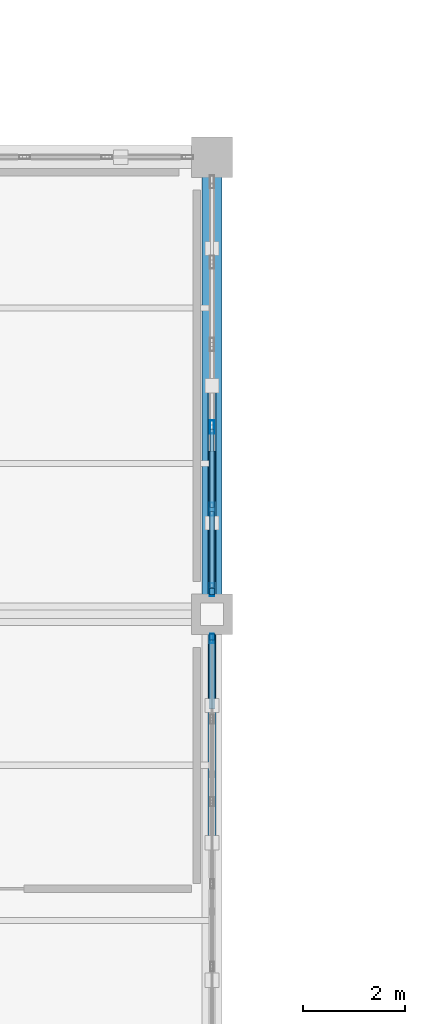
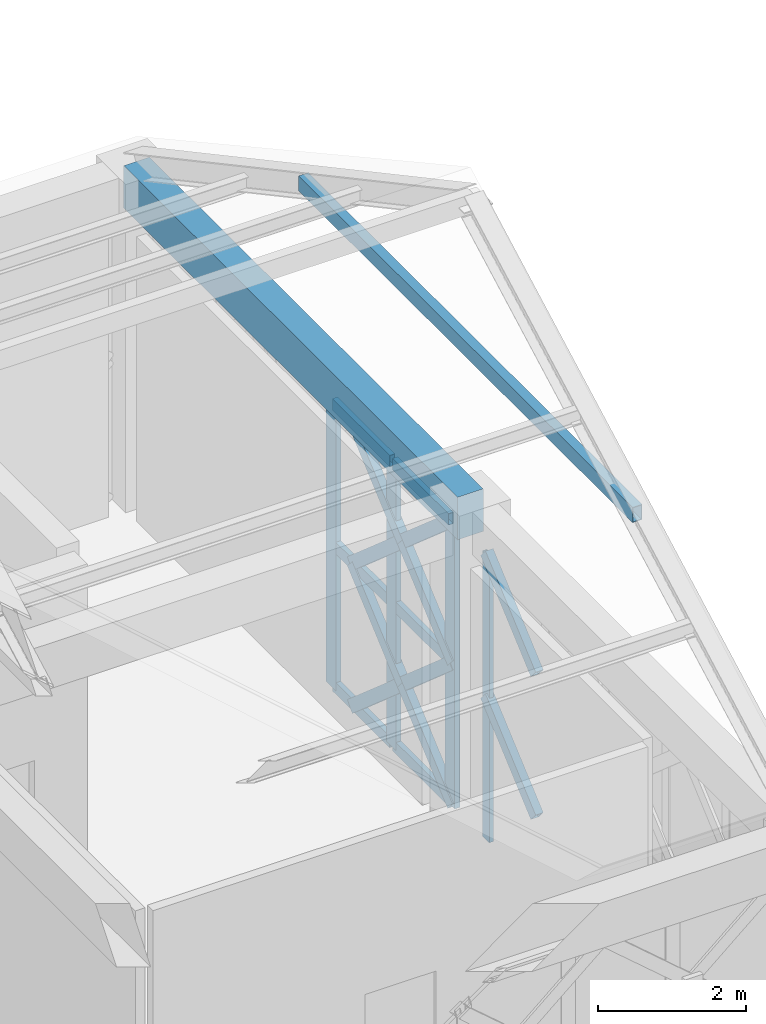
# One storey, part 56 of 86: 19 members, 1 beam, 2 elements without a shape of their own.
"""IFC4 building model written with IfcOpenShell, lengths in metres."""

import ifcopenshell
import ifcopenshell.guid

model = None  # the IFC model being written
_history = None  # IfcOwnerHistory: only IFC2X3 demands one
_inside = {}  # id of a spatial element -> (the spatial element, [elements in it])
_under = {}  # id of a project, library or spatial element -> (it, [spatial elements below it])
_declared = {}  # id of a project -> (the project, [libraries it declares])
_typed = {}  # id of a type object -> (the type object, [elements of that type])
_made_of = {}  # id of a material, layer set ... -> (it, [elements and type objects made of it])


def new_model(schema):
    """Start an empty IFC model of exactly this schema.

    Asked for "IFC4X3", IfcOpenShell would pick the latest addendum, in which some entities
    have other attributes; the version numbers below select the first issue.
    IFC2X3 requires an IfcOwnerHistory on every rooted entity: one is made here for all.
    """
    global model, _history
    if schema == "IFC4X3":
        model = ifcopenshell.file(schema_version=(4, 3, 0, 0))
    else:
        model = ifcopenshell.file(schema=schema)
    _inside.clear()
    _under.clear()
    _declared.clear()
    _typed.clear()
    _made_of.clear()
    _history = None
    if model.schema == "IFC2X3":
        org = make("IfcOrganization", Name="unknown")
        user = make(
            "IfcPersonAndOrganization",
            ThePerson=make("IfcPerson", FamilyName="unknown"),
            TheOrganization=org,
        )
        app = make(
            "IfcApplication",
            ApplicationDeveloper=org,
            Version="unknown",
            ApplicationFullName="unknown",
            ApplicationIdentifier="unknown",
        )
        _history = make(
            "IfcOwnerHistory",
            OwningUser=user,
            OwningApplication=app,
            ChangeAction="ADDED",
            CreationDate=0,
        )
    return model


def make(cls, **values):
    """One entity of the class cls with the attributes given. An attribute that is None is left unset."""
    return model.create_entity(
        cls, **{name: value for name, value in values.items() if value is not None}
    )


def rooted(cls, **values):
    """An entity with a GlobalId (a new one), such as an element, a storey or a relation."""
    return make(cls, GlobalId=ifcopenshell.guid.new(), OwnerHistory=_history, **values)


def si_unit(unit_type, name, prefix=None):
    """IfcSIUnit, for example si_unit("LENGTHUNIT", "METRE", prefix="MILLI")."""
    return make("IfcSIUnit", UnitType=unit_type, Prefix=prefix, Name=name)


def assignment(units):
    """IfcUnitAssignment: the units of a project."""
    return None if units is None else make("IfcUnitAssignment", Units=units)


def point(xyz):
    """IfcCartesianPoint."""
    return None if xyz is None else make("IfcCartesianPoint", Coordinates=xyz)


def direction(xyz):
    """IfcDirection."""
    return None if xyz is None else make("IfcDirection", DirectionRatios=xyz)


def frame(location, z_axis=None, x_axis=None):
    """IfcAxis2Placement3D, a coordinate frame: its origin and axes. An axis left out is left unset."""
    return make(
        "IfcAxis2Placement3D",
        Location=point(location),
        Axis=direction(z_axis),
        RefDirection=direction(x_axis),
    )


def frame_2d(location, x_axis=None):
    """IfcAxis2Placement2D, a coordinate frame in the plane: its origin and x axis."""
    return make(
        "IfcAxis2Placement2D", Location=point(location), RefDirection=direction(x_axis)
    )


def origin():
    """The frame at (0, 0, 0) with its axes left unset."""
    return frame((0.0, 0.0, 0.0))


def origin_2d():
    """The frame at (0, 0) in the plane with its x axis left unset."""
    return frame_2d((0.0, 0.0))


def place(relative_to, where):
    """IfcLocalPlacement: puts the frame where relative to a parent placement (None: the world)."""
    return make(
        "IfcLocalPlacement", PlacementRelTo=relative_to, RelativePlacement=where
    )


def context(
    kind, dimensions, precision=None, world=None, true_north=None, identifier=None
):
    """IfcGeometricRepresentationContext, for example the 3D "Model" context."""
    return make(
        "IfcGeometricRepresentationContext",
        ContextIdentifier=identifier,
        ContextType=kind,
        CoordinateSpaceDimension=dimensions,
        Precision=precision,
        WorldCoordinateSystem=world,
        TrueNorth=true_north,
    )


def subcontext(parent, identifier, kind, view, scale=None):
    """IfcGeometricRepresentationSubContext, for example "Body" below "Model"."""
    return make(
        "IfcGeometricRepresentationSubContext",
        ContextIdentifier=identifier,
        ContextType=kind,
        ParentContext=parent,
        TargetScale=scale,
        TargetView=view,
    )


def project(units=None, contexts=None):
    """IfcProject with its units and contexts."""
    return rooted(
        "IfcProject",
        Name="project",
        RepresentationContexts=contexts,
        UnitsInContext=assignment(units),
    )


def spatial(cls, under=None, at=None, **own):
    """A site, building, storey or space (cls), placed at a placement, below another one or the project."""
    s = rooted(cls, ObjectPlacement=at, **own)
    if under is not None:
        _under.setdefault(under.id(), (under, []))[1].append(s)
    return s


def profile(cls, at=None, kind="AREA", **sizes):
    """A parametric profile (cls). Its sizes go by their IFC names, for example OverallWidth=200.0."""
    return make(cls, ProfileType=kind, Position=at, **sizes)


def rectangle(**sizes):
    """IfcRectangleProfileDef."""
    return profile("IfcRectangleProfileDef", **sizes)


def hollow_rectangle(**sizes):
    """IfcRectangleHollowProfileDef."""
    return profile("IfcRectangleHollowProfileDef", **sizes)


def extrude(swept, where, along, depth):
    """IfcExtrudedAreaSolid: the profile swept, set in the frame where, extruded along a direction by depth."""
    return make(
        "IfcExtrudedAreaSolid",
        SweptArea=swept,
        Position=where,
        ExtrudedDirection=direction(along),
        Depth=depth,
    )


def shape(context_of_items, identifier, shape_type, items):
    """IfcShapeRepresentation: the items that make up one representation, for example the "Body"."""
    return make(
        "IfcShapeRepresentation",
        ContextOfItems=context_of_items,
        RepresentationIdentifier=identifier,
        RepresentationType=shape_type,
        Items=items,
    )


def material(Name=None, Category=None):
    """IfcMaterial."""
    return make("IfcMaterial", Name=Name, Category=Category)


def material_profile(
    of_material, cross_section, Name=None, Category=None, Priority=None
):
    """IfcMaterialProfile: a cross section and its material."""
    return make(
        "IfcMaterialProfile",
        Name=Name,
        Material=of_material,
        Profile=cross_section,
        Priority=Priority,
        Category=Category,
    )


def profile_set(profiles, Name=None, composite=None):
    """IfcMaterialProfileSet."""
    return make(
        "IfcMaterialProfileSet",
        Name=Name,
        MaterialProfiles=profiles,
        CompositeProfile=composite,
    )


def made_of(thing, what):
    """Note that an element or type object is made of a material, layer set ...; save() writes the relation."""
    if what is not None:
        _made_of.setdefault(what.id(), (what, []))[1].append(thing)
    return thing


def type_object(cls, material=None, **own):
    """A type object (cls), such as IfcWallType, which elements share."""
    return made_of(rooted(cls, **own), material)


def element(
    cls,
    number,
    at=None,
    inside=None,
    cuts=None,
    type_object=None,
    material=None,
    context=None,
    identifier="Body",
    shape_type=None,
    held_by="IfcProductDefinitionShape",
    body=None,
    shapes=None,
    **own,
):
    """One element of the class cls, such as IfcWall. Its Tag is "e" and its number.

    at: its placement. inside: the storey or other place that contains it. cuts: it is an
    opening in that element (IfcRelVoidsElement). A single representation is given by context,
    identifier, shape_type and body (its items); several are given by shapes. held_by: the class
    of the entity that holds the representations. save() writes the other relations.
    """
    e = rooted(cls, Tag="e%d" % number, ObjectPlacement=at, **own)
    if body is not None:
        shapes = [shape(context, identifier, shape_type, body)]
    if shapes is not None:
        e.Representation = make(held_by, Representations=shapes)
    if inside is not None:
        _inside.setdefault(inside.id(), (inside, []))[1].append(e)
    if cuts is not None:
        rooted(
            "IfcRelVoidsElement", RelatingBuildingElement=cuts, RelatedOpeningElement=e
        )
    if type_object is not None:
        _typed.setdefault(type_object.id(), (type_object, []))[1].append(e)
    return made_of(e, material)


def aggregate(whole, parts):
    """IfcRelAggregates: a whole, such as a stair, and the parts it consists of."""
    return rooted("IfcRelAggregates", RelatingObject=whole, RelatedObjects=parts)


def save(model, path):
    """Write the relations noted so far, then the file.

    IfcRelAggregates (storeys below a building ...), IfcRelContainedInSpatialStructure (elements
    in a storey), IfcRelDefinesByType, IfcRelAssociatesMaterial and IfcRelDeclares: one each for
    every whole, place, type object, material and project.
    """
    for whole, parts in _under.values():
        aggregate(whole, parts)
    for where, things in _inside.values():
        rooted(
            "IfcRelContainedInSpatialStructure",
            RelatedElements=things,
            RelatingStructure=where,
        )
    for kind, things in _typed.values():
        rooted("IfcRelDefinesByType", RelatedObjects=things, RelatingType=kind)
    for what, things in _made_of.values():
        rooted("IfcRelAssociatesMaterial", RelatedObjects=things, RelatingMaterial=what)
    for by, libraries in _declared.values():
        rooted("IfcRelDeclares", RelatingContext=by, RelatedDefinitions=libraries)
    model.write(path)


model = new_model("IFC4")

# Units and contexts
model_context = context("Model", 3, precision=1e-05, world=origin(), true_north=direction((0.0, 1.0)))
body_context = subcontext(model_context, "Body", "Model", "MODEL_VIEW")
ifc_project = project(units=[si_unit("LENGTHUNIT", "METRE"), si_unit("AREAUNIT", "SQUARE_METRE"), si_unit("VOLUMEUNIT", "CUBIC_METRE"), si_unit("PLANEANGLEUNIT", "RADIAN"), si_unit("MASSUNIT", "GRAM", prefix="KILO")], contexts=[model_context])

# Site, building, storey
site_placement = place(None, origin())
site = spatial("IfcSite", under=ifc_project, at=site_placement, CompositionType="ELEMENT")
building_placement = place(site_placement, origin())
building = spatial("IfcBuilding", under=site, at=building_placement, Name="Haizhuo Lancet Aquarium", CompositionType="ELEMENT")
storey_placement = place(building_placement, frame((0.0, 0.0, 16.199951171875)))
storey = spatial("IfcBuildingStorey", under=building, at=storey_placement, Name="L03", CompositionType="ELEMENT", Elevation=16.199951171875)

# Beam
ifc_material_1 = material(Name="Concrete C40/50", Category="concrete")
ifc_material_profile_1 = material_profile(ifc_material_1, rectangle(XDim=0.39990234375, YDim=0.699951171875, at=origin_2d()), Name="RC-BM 400x700")
ifc_profile_set_1 = profile_set([ifc_material_profile_1], Name="Concrete C40/50")
beam_type = type_object("IfcBeamType", Name="BM-RC-400x700", PredefinedType="BEAM", material=ifc_profile_set_1)
beam_placement = place(storey_placement, frame((72.0, -18.0, 5.050048828125), z_axis=(0.0, 1.0, 0.0), x_axis=(-1.0, 0.0, 0.0)))
element("IfcBeam", 1, at=beam_placement, inside=storey, type_object=beam_type, Name="L03 V3 primary girder BM-L03-V3-032", PredefinedType="BEAM", context=body_context, shape_type="SweptSolid", body=[
    extrude(rectangle(XDim=0.39990234375, YDim=0.699951171875, at=origin_2d()), origin(), (0.0, 0.0, 1.0), 9.0),
])

# Curtain wall, member
ifc_material_2 = material(Name="Aluminium 6063-T6", Category="aluminium")
curtain_wall_type = type_object("IfcCurtainWallType", Name="CWO-8110x4700", PredefinedType="NOTDEFINED", material=ifc_material_2)
curtain_wall_1_placement = place(storey_placement, origin())
curtain_wall_1 = element("IfcCurtainWall", 2, at=curtain_wall_1_placement, inside=storey, type_object=curtain_wall_type, Name="L03 curtain wall CW-V3-L03-073", PredefinedType="NOTDEFINED")
ifc_material_profile_2 = material_profile(ifc_material_2, hollow_rectangle(XDim=0.06494140625, YDim=0.179931640625, WallThickness=0.00390625, at=origin_2d()), Name="ALU-M 65x180x4")
ifc_profile_set_2 = profile_set([ifc_material_profile_2], Name="Aluminium 6063-T6")
member_type_1 = type_object("IfcMemberType", Name="CW-MUL-1", PredefinedType="MULLION", material=ifc_profile_set_2)
member_1_placement = place(storey_placement, frame((72.0, -18.47705078125, 0.0), z_axis=(0.0, 0.0, 1.0), x_axis=(1.0, 0.0, 0.0)))
member_1 = element("IfcMember", 3, at=member_1_placement, type_object=member_type_1, Name="CWO-81x47 mullion 1", PredefinedType="MULLION", context=body_context, shape_type="SweptSolid", body=[
    extrude(hollow_rectangle(XDim=0.06494140625, YDim=0.179931640625, WallThickness=0.00390625, at=origin_2d()), origin(), (0.0, 0.0, 1.0), 4.699951171875),
])
aggregate(curtain_wall_1, [member_1])

# Curtain wall, members
curtain_wall_2_placement = place(storey_placement, origin())
curtain_wall_2 = element("IfcCurtainWall", 4, at=curtain_wall_2_placement, inside=storey, type_object=curtain_wall_type, Name="L03 curtain wall CW-V3-L03-072", PredefinedType="NOTDEFINED")
ifc_material_profile_3 = material_profile(ifc_material_2, hollow_rectangle(XDim=0.080078125, YDim=0.260009765625, WallThickness=0.0048828125, at=origin_2d()), Name="ALU-M 80x260x5")
ifc_profile_set_3 = profile_set([ifc_material_profile_3], Name="Aluminium 6063-T6")
member_type_2 = type_object("IfcMemberType", Name="CW-MUL-3", PredefinedType="MULLION", material=ifc_profile_set_3)
member_2_placement = place(storey_placement, frame((72.0, -14.31103515625, 0.0), z_axis=(0.0, 0.0, 1.0), x_axis=(1.0, 0.0, 0.0)))
member_2 = element("IfcMember", 5, at=member_2_placement, type_object=member_type_2, Name="CWO-81x47 mullion 4", PredefinedType="MULLION", context=body_context, shape_type="SweptSolid", body=[
    extrude(hollow_rectangle(XDim=0.080078125, YDim=0.260009765625, WallThickness=0.0048828125, at=origin_2d()), origin(), (0.0, 0.0, 1.0), 4.699951171875),
])
member_3_placement = place(storey_placement, frame((72.0, -15.93310546875, 0.0), z_axis=(0.0, 0.0, 1.0), x_axis=(1.0, 0.0, 0.0)))
member_3 = element("IfcMember", 6, at=member_3_placement, type_object=member_type_2, Name="CWO-81x47 mullion 5", PredefinedType="MULLION", context=body_context, shape_type="SweptSolid", body=[
    extrude(hollow_rectangle(XDim=0.080078125, YDim=0.260009765625, WallThickness=0.0048828125, at=origin_2d()), origin(), (0.0, 0.0, 1.0), 4.699951171875),
])
member_4_placement = place(storey_placement, frame((72.0, -17.514892578125, 0.0), z_axis=(0.0, 0.0, 1.0), x_axis=(1.0, 0.0, 0.0)))
member_4 = element("IfcMember", 7, at=member_4_placement, type_object=member_type_2, Name="CWO-81x47 mullion 6", PredefinedType="MULLION", context=body_context, shape_type="SweptSolid", body=[
    extrude(hollow_rectangle(XDim=0.080078125, YDim=0.260009765625, WallThickness=0.0048828125, at=origin_2d()), origin(), (0.0, 0.0, 1.0), 4.699951171875),
])
ifc_material_profile_4 = material_profile(ifc_material_2, hollow_rectangle(XDim=0.080078125, YDim=0.18994140625, WallThickness=0.0048828125, at=origin_2d()), Name="ALU-T 80x190x5")
ifc_profile_set_4 = profile_set([ifc_material_profile_4], Name="Aluminium 6063-T6")
member_type_3 = type_object("IfcMemberType", Name="CW-TRN-3", PredefinedType="NOTDEFINED", material=ifc_profile_set_4)
member_5_placement = place(storey_placement, frame((72.0, -14.35107421875, 0.0400390625), z_axis=(0.0, -1.0, 0.0), x_axis=(1.0, 0.0, 0.0)))
member_5 = element("IfcMember", 8, at=member_5_placement, type_object=member_type_3, Name="CWO-81x47 transom 4.1", ObjectType="TRANSOM", PredefinedType="USERDEFINED", context=body_context, shape_type="SweptSolid", body=[
    extrude(hollow_rectangle(XDim=0.080078125, YDim=0.18994140625, WallThickness=0.0048828125, at=origin_2d()), origin(), (0.0, 0.0, 1.0), 1.5419921875),
])
member_6_placement = place(storey_placement, frame((72.0, -14.35107421875, 2.35009765625), z_axis=(0.0, -1.0, 0.0), x_axis=(1.0, 0.0, 0.0)))
member_6 = element("IfcMember", 9, at=member_6_placement, type_object=member_type_3, Name="CWO-81x47 transom 4.2", ObjectType="TRANSOM", PredefinedType="USERDEFINED", context=body_context, shape_type="SweptSolid", body=[
    extrude(hollow_rectangle(XDim=0.080078125, YDim=0.18994140625, WallThickness=0.0048828125, at=origin_2d()), origin(), (0.0, 0.0, 1.0), 1.5419921875),
])
member_7_placement = place(storey_placement, frame((72.0, -14.35107421875, 4.66015625), z_axis=(0.0, -1.0, 0.0), x_axis=(1.0, 0.0, 0.0)))
member_7 = element("IfcMember", 10, at=member_7_placement, type_object=member_type_3, Name="CWO-81x47 transom 4.3", ObjectType="TRANSOM", PredefinedType="USERDEFINED", context=body_context, shape_type="SweptSolid", body=[
    extrude(hollow_rectangle(XDim=0.080078125, YDim=0.18994140625, WallThickness=0.0048828125, at=origin_2d()), origin(), (0.0, 0.0, 1.0), 1.5419921875),
])
member_8_placement = place(storey_placement, frame((72.0, -15.972900390625, 0.0400390625), z_axis=(0.0, -1.0, 0.0), x_axis=(1.0, 0.0, 0.0)))
member_8 = element("IfcMember", 11, at=member_8_placement, type_object=member_type_3, Name="CWO-81x47 transom 5.1", ObjectType="TRANSOM", PredefinedType="USERDEFINED", context=body_context, shape_type="SweptSolid", body=[
    extrude(hollow_rectangle(XDim=0.080078125, YDim=0.18994140625, WallThickness=0.0048828125, at=origin_2d()), origin(), (0.0, 0.0, 1.0), 1.502197265625),
])
member_9_placement = place(storey_placement, frame((72.0, -15.972900390625, 2.35009765625), z_axis=(0.0, -1.0, 0.0), x_axis=(1.0, 0.0, 0.0)))
member_9 = element("IfcMember", 12, at=member_9_placement, type_object=member_type_3, Name="CWO-81x47 transom 5.2", ObjectType="TRANSOM", PredefinedType="USERDEFINED", context=body_context, shape_type="SweptSolid", body=[
    extrude(hollow_rectangle(XDim=0.080078125, YDim=0.18994140625, WallThickness=0.0048828125, at=origin_2d()), origin(), (0.0, 0.0, 1.0), 1.502197265625),
])
member_10_placement = place(storey_placement, frame((72.0, -15.972900390625, 4.66015625), z_axis=(0.0, -1.0, 0.0), x_axis=(1.0, 0.0, 0.0)))
member_10 = element("IfcMember", 13, at=member_10_placement, type_object=member_type_3, Name="CWO-81x47 transom 5.3", ObjectType="TRANSOM", PredefinedType="USERDEFINED", context=body_context, shape_type="SweptSolid", body=[
    extrude(hollow_rectangle(XDim=0.080078125, YDim=0.18994140625, WallThickness=0.0048828125, at=origin_2d()), origin(), (0.0, 0.0, 1.0), 1.502197265625),
])
aggregate(curtain_wall_2, [member_2, member_3, member_4, member_5, member_6, member_7, member_8, member_9, member_10])

# Members
ifc_material_3 = material(Name="Steel S355", Category="steel")
ifc_material_profile_5 = material_profile(ifc_material_3, hollow_rectangle(XDim=0.14990234375, YDim=0.25, WallThickness=0.010009765625, at=origin_2d()), Name="RHS 150x250x10")
ifc_profile_set_5 = profile_set([ifc_material_profile_5], Name="Steel S355")
member_type_4 = type_object("IfcMemberType", Name="MEM-CL-RHS150x250", PredefinedType="COLLAR", material=ifc_profile_set_5)
member_11_placement = place(storey_placement, frame((72.0, -22.5, 7.79296875), z_axis=(0.0, 1.0, 0.0), x_axis=(-1.0, 0.0, 0.0)))
element("IfcMember", 14, at=member_11_placement, inside=storey, type_object=member_type_4, Name="V3 Gothic roof collar tie 6", PredefinedType="COLLAR", context=body_context, shape_type="SweptSolid", body=[
    extrude(hollow_rectangle(XDim=0.14990234375, YDim=0.25, WallThickness=0.010009765625, at=origin_2d()), origin(), (0.0, 0.0, 1.0), 9.0),
])
ifc_material_profile_6 = material_profile(ifc_material_3, hollow_rectangle(XDim=0.1201171875, YDim=0.199951171875, WallThickness=0.008056640625, at=origin_2d()), Name="RHS 120x200x8")
ifc_profile_set_6 = profile_set([ifc_material_profile_6], Name="Steel S355")
member_type_5 = type_object("IfcMemberType", Name="MEM-LB-RHS120x200", PredefinedType="BRACE", material=ifc_profile_set_6)
member_12_placement = place(storey_placement, frame((72.0, -14.85205078125, 0.0), z_axis=(0.0, -0.754637805349, 0.656141587417), x_axis=(1.0, 0.0, 0.0)))
element("IfcMember", 15, at=member_12_placement, inside=storey, type_object=member_type_5, Name="Gothic lancet continuous diagonal brace CW-V3-L03-072 5A", PredefinedType="BRACE", context=body_context, shape_type="SweptSolid", body=[
    extrude(hollow_rectangle(XDim=0.1201171875, YDim=0.199951171875, WallThickness=0.008056640625, at=origin_2d()), origin(), (0.0, 0.0, 1.0), 3.581787109375),
])
member_13_placement = place(storey_placement, frame((72.0, -17.554931640625, 0.0), z_axis=(0.0, 0.754784478057, 0.655972858954), x_axis=(-1.0, 0.0, 0.0)))
element("IfcMember", 16, at=member_13_placement, inside=storey, type_object=member_type_5, Name="Gothic lancet split diagonal brace CW-V3-L03-072 5B1", PredefinedType="BRACE", context=body_context, shape_type="SweptSolid", body=[
    extrude(hollow_rectangle(XDim=0.1201171875, YDim=0.199951171875, WallThickness=0.008056640625, at=origin_2d()), origin(), (0.0, 0.0, 1.0), 1.791259765625),
])
member_14_placement = place(storey_placement, frame((72.0, -16.202880859375, 1.175048828125), z_axis=(0.0, 0.754491019428, 0.656310369873), x_axis=(-1.0, 0.0, 0.0)))
element("IfcMember", 17, at=member_14_placement, inside=storey, type_object=member_type_5, Name="Gothic lancet split diagonal brace CW-V3-L03-072 5B2", PredefinedType="BRACE", context=body_context, shape_type="SweptSolid", body=[
    extrude(hollow_rectangle(XDim=0.1201171875, YDim=0.199951171875, WallThickness=0.008056640625, at=origin_2d()), origin(), (0.0, 0.0, 1.0), 1.790283203125),
])
member_15_placement = place(storey_placement, frame((72.0, -14.85205078125, 2.35009765625), z_axis=(0.0, -0.754671556952, 0.6561027672), x_axis=(1.0, 0.0, 0.0)))
element("IfcMember", 18, at=member_15_placement, inside=storey, type_object=member_type_5, Name="Gothic lancet continuous diagonal brace CW-V3-L03-072 6A", PredefinedType="BRACE", context=body_context, shape_type="SweptSolid", body=[
    extrude(hollow_rectangle(XDim=0.1201171875, YDim=0.199951171875, WallThickness=0.008056640625, at=origin_2d()), origin(), (0.0, 0.0, 1.0), 3.58154296875),
])
member_16_placement = place(storey_placement, frame((72.0, -17.554931640625, 2.35009765625), z_axis=(0.0, 0.754784478057, 0.655972858954), x_axis=(-1.0, 0.0, 0.0)))
element("IfcMember", 19, at=member_16_placement, inside=storey, type_object=member_type_5, Name="Gothic lancet split diagonal brace CW-V3-L03-072 6B1", PredefinedType="BRACE", context=body_context, shape_type="SweptSolid", body=[
    extrude(hollow_rectangle(XDim=0.1201171875, YDim=0.199951171875, WallThickness=0.008056640625, at=origin_2d()), origin(), (0.0, 0.0, 1.0), 1.791259765625),
])
member_17_placement = place(storey_placement, frame((72.0, -16.202880859375, 3.525146484375), z_axis=(0.0, 0.754558545257, 0.656232734462), x_axis=(-1.0, 0.0, 0.0)))
element("IfcMember", 20, at=member_17_placement, inside=storey, type_object=member_type_5, Name="Gothic lancet split diagonal brace CW-V3-L03-072 6B2", PredefinedType="BRACE", context=body_context, shape_type="SweptSolid", body=[
    extrude(hollow_rectangle(XDim=0.1201171875, YDim=0.199951171875, WallThickness=0.008056640625, at=origin_2d()), origin(), (0.0, 0.0, 1.0), 1.790283203125),
])
for number, where, z_axis, x_axis, name in (
    (21, (72.0, -19.797119140625, 1.175048828125), (0.0, 0.754784478057, 0.655972858954), (-1.0, 0.0, 0.0), "Gothic lancet split diagonal brace CW-V3-L03-073 1B2"),
    (22, (72.0, -19.797119140625, 3.525146484375), (0.0, 0.754851960681, 0.655895203105), (-1.0, 0.0, 0.0), "Gothic lancet split diagonal brace CW-V3-L03-073 2B2"),
):
    element("IfcMember", number, at=place(storey_placement, frame(where, z_axis=z_axis, x_axis=x_axis)), inside=storey, type_object=member_type_5, Name=name, PredefinedType="BRACE", context=body_context, shape_type="SweptSolid", body=[
        extrude(hollow_rectangle(XDim=0.1201171875, YDim=0.199951171875, WallThickness=0.008056640625, at=origin_2d()), origin(), (0.0, 0.0, 1.0), 1.791259765625),
    ])

save(model, "model.ifc")
